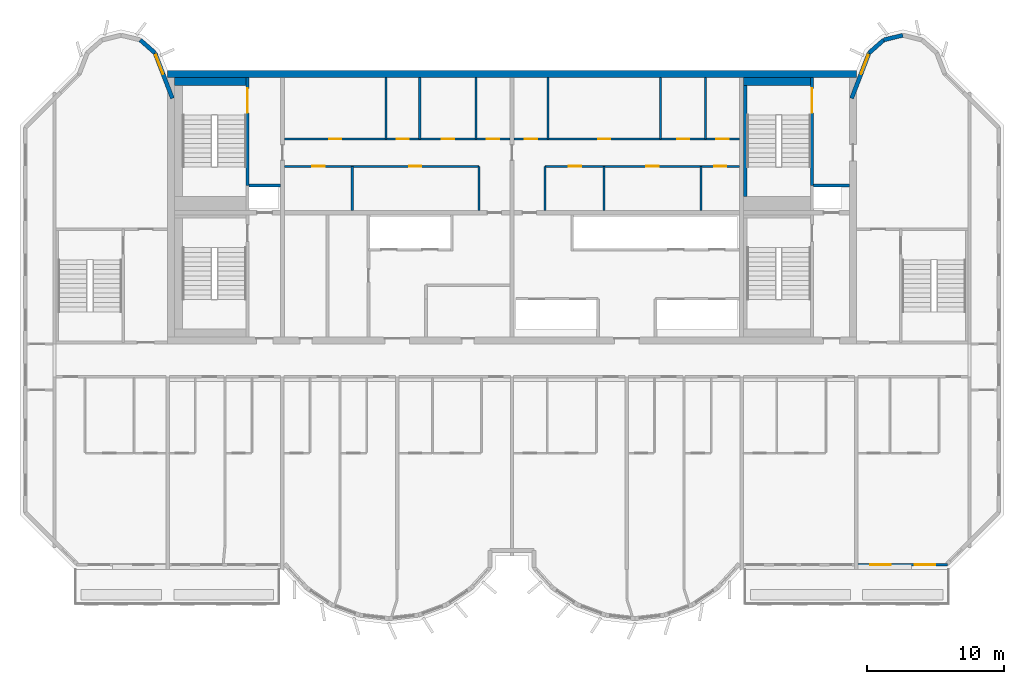
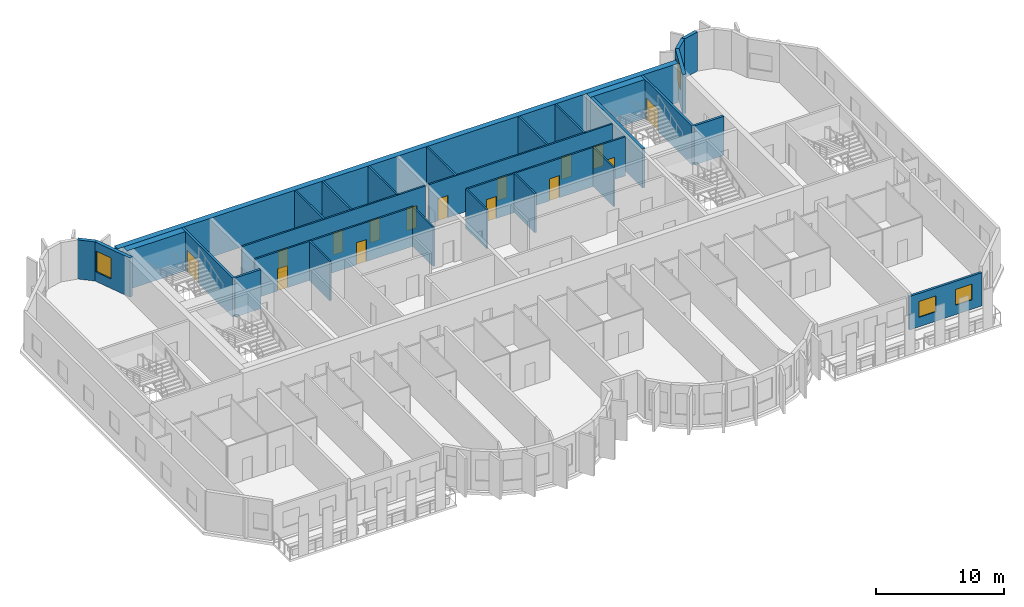
# One storey, part 7 of 12: 29 walls, 15 doors, 4 windows, 19 openings.
"""IFC4 building model written with IfcOpenShell, lengths in metres."""

from ifc_helpers import new_model, si_unit, direction, frame, frame_2d, origin, place, context, subcontext, project, spatial, rectangle, extrude, source, transform, mapped, material, layer, layer_set, type_object, element, fill, save


model = new_model("IFC4")

# Units and contexts
model_context = context("Model", 3, precision=1e-05, world=origin(), true_north=direction((0.0, 1.0)))
body_context = subcontext(model_context, "Body", "Model", "MODEL_VIEW")
ifc_project = project(units=[si_unit("LENGTHUNIT", "METRE"), si_unit("AREAUNIT", "SQUARE_METRE"), si_unit("VOLUMEUNIT", "CUBIC_METRE"), si_unit("PLANEANGLEUNIT", "RADIAN"), si_unit("MASSUNIT", "GRAM", prefix="KILO")], contexts=[model_context])

# Site, building, storey
site_placement = place(None, origin())
site = spatial("IfcSite", under=ifc_project, at=site_placement, CompositionType="ELEMENT")
building_placement = place(site_placement, origin())
building = spatial("IfcBuilding", under=site, at=building_placement, Name="Vanashikhar Sky Hotel", CompositionType="ELEMENT")
storey_placement = place(building_placement, frame((0.0, 0.0, 293.699951171875)))
storey = spatial("IfcBuildingStorey", under=building, at=storey_placement, Name="L70", CompositionType="ELEMENT", Elevation=293.699951171875)

# Wall
ifc_material_1 = material(Name="Concrete M50", Category="concrete")
ifc_layer_1 = layer(ifc_material_1, 0.5)
ifc_layer_set_1 = layer_set([ifc_layer_1], Name="RC core shell wall 500 Concrete M50")
wall_type_1 = type_object("IfcWallType", Name="RC core shell wall 500 Concrete M50", PredefinedType="SHEAR", material=ifc_layer_set_1)
shared_shape_1 = source(origin(), body_context, "Body", "SweptSolid", [
    extrude(rectangle(XDim=50.400146484375, YDim=0.5, at=frame_2d((25.2001953125, 0.0))), origin(), (0.0, 0.0, 1.0), 3.719970703125),
])
wall_1_placement = place(storey_placement, frame((25.199951171875, 41.75, 0.0), z_axis=(0.0, 0.0, 1.0), x_axis=(1.0, 0.0, 0.0)))
element("IfcWall", 1, at=wall_1_placement, inside=storey, type_object=wall_type_1, Name="KW-L70-KN", PredefinedType="SHEAR", context=body_context, shape_type="MappedRepresentation", body=[
    mapped(shared_shape_1, transform((0.0, 0.0, 0.0), scale=1.0)),
])

# Wall, openings, windows
ifc_layer_2 = layer(ifc_material_1, 0.199951171875)
ifc_layer_set_2 = layer_set([ifc_layer_2], Name="Front window wall 200")
wall_type_2 = type_object("IfcWallType", Name="Front window wall 200", PredefinedType="SOLIDWALL", material=ifc_layer_set_2)
shared_shape_2 = source(origin(), body_context, "Body", "SweptSolid", [
    extrude(rectangle(XDim=6.52978515625, YDim=0.199951171875, at=frame_2d((3.264892578125, 0.0))), origin(), (0.0, 0.0, 1.0), 3.170166015625),
])
wall_2_placement = place(storey_placement, frame((75.72509765625, 5.85009765625, 0.0), z_axis=(0.0, 0.0, 1.0), x_axis=(1.0, 0.0, 0.0)))
wall_2 = element("IfcWall", 2, at=wall_2_placement, inside=storey, type_object=wall_type_2, Name="Front window wall", PredefinedType="SOLIDWALL", context=body_context, shape_type="MappedRepresentation", body=[
    mapped(shared_shape_2, transform((0.0, 0.0, 0.0), scale=1.0)),
])
shared_shape_3 = source(origin(), body_context, "Body", "SweptSolid", [
    extrude(rectangle(XDim=1.5, YDim=1.5, at=frame_2d((0.75, 0.75))), frame((0.0, 0.10986328125, 0.0), z_axis=(0.0, -1.0, 0.0), x_axis=(1.0, 0.0, 0.0)), (0.0, 0.0, 1.0), 0.219970703125),
])
opening_1_placement = place(wall_2_placement, frame((0.882568359375, 0.0, 0.89990234375)))
opening_1 = element("IfcOpeningElement", 3, at=opening_1_placement, cuts=wall_2, Name="Opening WN-1", PredefinedType="OPENING", context=body_context, shape_type="MappedRepresentation", body=[
    mapped(shared_shape_3, transform((0.0, 0.0, 0.0), scale=1.0)),
])
opening_2_placement = place(wall_2_placement, frame((4.1474609375, 0.0, 0.89990234375)))
opening_2 = element("IfcOpeningElement", 4, at=opening_2_placement, cuts=wall_2, Name="Opening WN-1", PredefinedType="OPENING", context=body_context, shape_type="MappedRepresentation", body=[
    mapped(shared_shape_3, transform((0.0, 0.0, 0.0), scale=1.0)),
])
ifc_material_2 = material(Name="Glass", Category="glass")
window_type_1 = type_object("IfcWindowType", Name="Window 1500 x 1500", PartitioningType="SINGLE_PANEL", PredefinedType="WINDOW", material=ifc_material_2)
shared_shape_4 = source(origin(), body_context, "Body", "SweptSolid", [
    extrude(rectangle(XDim=1.5, YDim=1.5, at=frame_2d((0.75, 0.75))), frame((0.0, 0.030029296875, 0.0), z_axis=(0.0, -1.0, 0.0), x_axis=(1.0, 0.0, 0.0)), (0.0, 0.0, 1.0), 0.06005859375),
])
window_1_placement = place(opening_1_placement, origin())
window_1 = element("IfcWindow", 5, at=window_1_placement, inside=storey, type_object=window_type_1, Name="Window WN-1", OverallHeight=1.5, OverallWidth=1.5, PartitioningType="SINGLE_PANEL", PredefinedType="WINDOW", context=body_context, shape_type="MappedRepresentation", body=[
    mapped(shared_shape_4, transform((0.0, 0.0, 0.0), scale=1.0)),
])
fill(opening_1, window_1)
window_2_placement = place(opening_2_placement, origin())
window_2 = element("IfcWindow", 6, at=window_2_placement, inside=storey, type_object=window_type_1, Name="Window WN-1", OverallHeight=1.5, OverallWidth=1.5, PartitioningType="SINGLE_PANEL", PredefinedType="WINDOW", context=body_context, shape_type="MappedRepresentation", body=[
    mapped(shared_shape_4, transform((0.0, 0.0, 0.0), scale=1.0)),
])
fill(opening_2, window_2)

# Walls
ifc_layer_3 = layer(ifc_material_1, 0.300048828125)
ifc_layer_set_3 = layer_set([ifc_layer_3], Name="Lobe wall 300")
wall_type_3 = type_object("IfcWallType", Name="Lobe wall 300", PredefinedType="SOLIDWALL", material=ifc_layer_set_3)
shared_shape_5 = source(origin(), body_context, "Body", "SweptSolid", [
    extrude(rectangle(XDim=1.43994140625, YDim=0.300048828125, at=frame_2d((0.719970703125, 0.0))), origin(), (0.0, 0.0, 1.0), 3.719970703125),
])
wall_3_placement = place(storey_placement, frame((77.602783203125, 44.2451171875, 0.0), z_axis=(0.0, 0.0, 1.0), x_axis=(-0.74957555648, -0.661918790432, 0.0)))
element("IfcWall", 7, at=wall_3_placement, inside=storey, type_object=wall_type_3, Name="Lobe wall", PredefinedType="SOLIDWALL", context=body_context, shape_type="MappedRepresentation", body=[
    mapped(shared_shape_5, transform((0.0, 0.0, 0.0), scale=1.0)),
])
shared_shape_6 = source(origin(), body_context, "Body", "SweptSolid", [
    extrude(rectangle(XDim=1.438720703125, YDim=0.300048828125, at=frame_2d((0.71923828125, 0.0))), origin(), (0.0, 0.0, 1.0), 3.719970703125),
])
wall_4_placement = place(storey_placement, frame((79.0, 44.588134765625, 0.0), z_axis=(0.0, 0.0, 1.0), x_axis=(-0.971161932466, -0.238420848351, 0.0)))
element("IfcWall", 8, at=wall_4_placement, inside=storey, type_object=wall_type_3, Name="Lobe wall", PredefinedType="SOLIDWALL", context=body_context, shape_type="MappedRepresentation", body=[
    mapped(shared_shape_6, transform((0.0, 0.0, 0.0), scale=1.0)),
])

# Wall, opening, window
shared_shape_7 = source(origin(), body_context, "Body", "SweptSolid", [
    extrude(rectangle(XDim=3.55908203125, YDim=0.300048828125, at=frame_2d((1.779541015625, 0.0))), origin(), (0.0, 0.0, 1.0), 3.719970703125),
])
wall_5_placement = place(storey_placement, frame((76.5234375, 43.2919921875, 0.0), z_axis=(0.0, 0.0, 1.0), x_axis=(-0.35779745313, -0.933799219604, 0.0)))
wall_5 = element("IfcWall", 9, at=wall_5_placement, inside=storey, type_object=wall_type_3, Name="Lobe wall", PredefinedType="SOLIDWALL", context=body_context, shape_type="MappedRepresentation", body=[
    mapped(shared_shape_7, transform((0.0, 0.0, 0.0), scale=1.0)),
])
shared_shape_8 = source(origin(), body_context, "Body", "SweptSolid", [
    extrude(rectangle(XDim=1.5, YDim=2.0, at=frame_2d((0.75, 1.0))), frame((0.0, 0.16015625, 0.0), z_axis=(0.0, -1.0, 0.0), x_axis=(1.0, 0.0, 0.0)), (0.0, 0.0, 1.0), 0.320068359375),
])
opening_3_placement = place(wall_5_placement, frame((0.156005859375, 0.0, 0.89990234375)))
opening_3 = element("IfcOpeningElement", 10, at=opening_3_placement, cuts=wall_5, Name="Opening WN-2", PredefinedType="OPENING", context=body_context, shape_type="MappedRepresentation", body=[
    mapped(shared_shape_8, transform((0.0, 0.0, 0.0), scale=1.0)),
])
window_type_2 = type_object("IfcWindowType", Name="Lobe window 1500 x 2000", PartitioningType="SINGLE_PANEL", PredefinedType="WINDOW", material=ifc_material_2)
shared_shape_9 = source(origin(), body_context, "Body", "SweptSolid", [
    extrude(rectangle(XDim=1.5, YDim=2.0, at=frame_2d((0.75, 1.0))), frame((0.0, 0.030029296875, 0.0), z_axis=(0.0, -1.0, 0.0), x_axis=(1.0, 0.0, 0.0)), (0.0, 0.0, 1.0), 0.06005859375),
])
window_3_placement = place(opening_3_placement, origin())
window_3 = element("IfcWindow", 11, at=window_3_placement, inside=storey, type_object=window_type_2, Name="Window WN-2", OverallHeight=2.0, OverallWidth=1.5, PartitioningType="SINGLE_PANEL", PredefinedType="WINDOW", context=body_context, shape_type="MappedRepresentation", body=[
    mapped(shared_shape_9, transform((0.0, 0.0, 0.0), scale=1.0)),
])
fill(opening_3, window_3)

wall_6_placement = place(storey_placement, frame((25.550048828125, 39.968505859375, 0.0), z_axis=(0.0, 0.0, 1.0), x_axis=(-0.35779745313, 0.933799219604, 0.0)))
wall_6 = element("IfcWall", 12, at=wall_6_placement, inside=storey, type_object=wall_type_3, Name="Lobe wall", PredefinedType="SOLIDWALL", context=body_context, shape_type="MappedRepresentation", body=[
    mapped(shared_shape_7, transform((0.0, 0.0, 0.0), scale=1.0)),
])
opening_4_placement = place(wall_6_placement, frame((1.9033203125, 0.0, 0.89990234375)))
opening_4 = element("IfcOpeningElement", 13, at=opening_4_placement, cuts=wall_6, Name="Opening WN-2", PredefinedType="OPENING", context=body_context, shape_type="MappedRepresentation", body=[
    mapped(shared_shape_8, transform((0.0, 0.0, 0.0), scale=1.0)),
])
window_4_placement = place(opening_4_placement, origin())
window_4 = element("IfcWindow", 14, at=window_4_placement, inside=storey, type_object=window_type_2, Name="Window WN-2", OverallHeight=2.0, OverallWidth=1.5, PartitioningType="SINGLE_PANEL", PredefinedType="WINDOW", context=body_context, shape_type="MappedRepresentation", body=[
    mapped(shared_shape_9, transform((0.0, 0.0, 0.0), scale=1.0)),
])
fill(opening_4, window_4)

# Walls
shared_shape_10 = source(origin(), body_context, "Body", "SweptSolid", [
    extrude(rectangle(XDim=1.440185546875, YDim=0.300048828125, at=frame_2d((0.72021484375, 0.0))), origin(), (0.0, 0.0, 1.0), 3.719970703125),
])
wall_7_placement = place(storey_placement, frame((24.276611328125, 43.2919921875, 0.0), z_axis=(0.0, 0.0, 1.0), x_axis=(-0.749649827867, 0.661834673902, 0.0)))
element("IfcWall", 15, at=wall_7_placement, inside=storey, type_object=wall_type_3, Name="Lobe wall", PredefinedType="SOLIDWALL", context=body_context, shape_type="MappedRepresentation", body=[
    mapped(shared_shape_10, transform((0.0, 0.0, 0.0), scale=1.0)),
])
ifc_material_3 = material(Name="Gypsum board partition")
ifc_layer_4 = layer(ifc_material_3, 0.14990234375)
ifc_layer_set_4 = layer_set([ifc_layer_4], Name="Service partition 150")
wall_type_4 = type_object("IfcWallType", Name="Service partition 150", PredefinedType="PARTITIONING", material=ifc_layer_set_4)
shared_shape_11 = source(origin(), body_context, "Body", "SweptSolid", [
    extrude(rectangle(XDim=3.25, YDim=0.14990234375, at=frame_2d((1.625, 0.0))), origin(), (0.0, 0.0, 1.0), 3.719970703125),
])
for number, where, z_axis, x_axis, name in (
    (16, (48.0, 31.75, 0.0), (0.0, 0.0, 1.0), (0.0, 1.0, 0.0), "Service partition 150"),
    (17, (38.7109375, 31.75, 0.0), (0.0, 0.0, 1.0), (0.0, 1.0, 0.0), "Service partition 150"),
    (18, (52.800048828125, 31.75, 0.0), (0.0, 0.0, 1.0), (0.0, 1.0, 0.0), "Service partition 150"),
    (19, (64.215087890625, 31.75, 0.0), (0.0, 0.0, 1.0), (0.0, 1.0, 0.0), "Service partition 150"),
    (20, (57.126953125, 31.75, 0.0), (0.0, 0.0, 1.0), (0.0, 1.0, 0.0), "Service partition 150"),
):
    element("IfcWall", number, at=place(storey_placement, frame(where, z_axis=z_axis, x_axis=x_axis)), inside=storey, type_object=wall_type_4, Name=name, PredefinedType="PARTITIONING", context=body_context, shape_type="MappedRepresentation", body=[
        mapped(shared_shape_11, transform((0.0, 0.0, 0.0), scale=1.0)),
    ])

# Wall, openings, doors
shared_shape_12 = source(origin(), body_context, "Body", "SweptSolid", [
    extrude(rectangle(XDim=14.25, YDim=0.14990234375, at=frame_2d((7.125, 0.0))), origin(), (0.0, 0.0, 1.0), 3.719970703125),
])
wall_8_placement = place(storey_placement, frame((33.75, 35.0, 0.0), z_axis=(0.0, 0.0, 1.0), x_axis=(1.0, 0.0, 0.0)))
wall_8 = element("IfcWall", 21, at=wall_8_placement, inside=storey, type_object=wall_type_4, Name="Service partition 150", PredefinedType="PARTITIONING", context=body_context, shape_type="MappedRepresentation", body=[
    mapped(shared_shape_12, transform((0.0, 0.0, 0.0), scale=1.0)),
])
shared_shape_13 = source(origin(), body_context, "Body", "SweptSolid", [
    extrude(rectangle(XDim=0.89990234375, YDim=2.10009765625, at=frame_2d((0.449951171875, 1.050048828125))), frame((0.0, 0.0849609375, 0.0), z_axis=(0.0, -1.0, 0.0), x_axis=(1.0, 0.0, 0.0)), (0.0, 0.0, 1.0), 0.169921875),
])
opening_5_placement = place(wall_8_placement, frame((2.031005859375, 0.0, 0.0)))
opening_5 = element("IfcOpeningElement", 22, at=opening_5_placement, cuts=wall_8, Name="Opening DC-4-A", PredefinedType="OPENING", context=body_context, shape_type="MappedRepresentation", body=[
    mapped(shared_shape_13, transform((0.0, 0.0, 0.0), scale=1.0)),
])
opening_6_placement = place(wall_8_placement, frame((9.117919921875, 0.0, 0.0)))
opening_6 = element("IfcOpeningElement", 23, at=opening_6_placement, cuts=wall_8, Name="Opening DC-4-A", PredefinedType="OPENING", context=body_context, shape_type="MappedRepresentation", body=[
    mapped(shared_shape_13, transform((0.0, 0.0, 0.0), scale=1.0)),
])
ifc_material_4 = material(Name="Steel", Category="steel")
door_type_1 = type_object("IfcDoorType", Name="Service door 900 FD60", OperationType="NOTDEFINED", PredefinedType="DOOR", material=ifc_material_4)
shared_shape_14 = source(origin(), body_context, "Body", "SweptSolid", [
    extrude(rectangle(XDim=0.89990234375, YDim=2.10009765625, at=frame_2d((0.449951171875, 1.050048828125))), frame((0.0, 0.02490234375, 0.0), z_axis=(0.0, -1.0, 0.0), x_axis=(1.0, 0.0, 0.0)), (0.0, 0.0, 1.0), 0.050048828125),
])
door_1_placement = place(opening_5_placement, origin())
door_1 = element("IfcDoor", 24, at=door_1_placement, inside=storey, type_object=door_type_1, Name="Service door 900 FD60", OperationType="SINGLE_SWING_RIGHT", OverallHeight=2.10009765625, OverallWidth=0.89990234375, PredefinedType="DOOR", context=body_context, shape_type="MappedRepresentation", body=[
    mapped(shared_shape_14, transform((0.0, 0.0, 0.0), scale=1.0)),
])
fill(opening_5, door_1)
door_2_placement = place(opening_6_placement, origin())
door_2 = element("IfcDoor", 25, at=door_2_placement, inside=storey, type_object=door_type_1, Name="Service door 900 FD60", OperationType="SINGLE_SWING_RIGHT", OverallHeight=2.10009765625, OverallWidth=0.89990234375, PredefinedType="DOOR", context=body_context, shape_type="MappedRepresentation", body=[
    mapped(shared_shape_14, transform((0.0, 0.0, 0.0), scale=1.0)),
])
fill(opening_6, door_2)

wall_9_placement = place(storey_placement, frame((67.050048828125, 35.0, 0.0), z_axis=(0.0, 0.0, 1.0), x_axis=(-1.0, 0.0, 0.0)))
wall_9 = element("IfcWall", 26, at=wall_9_placement, inside=storey, type_object=wall_type_4, Name="Service partition 150", PredefinedType="PARTITIONING", context=body_context, shape_type="MappedRepresentation", body=[
    mapped(shared_shape_12, transform((0.0, 0.0, 0.0), scale=1.0)),
])
opening_7_placement = place(wall_9_placement, frame((0.968017578125, 0.0, 0.0)))
opening_7 = element("IfcOpeningElement", 27, at=opening_7_placement, cuts=wall_9, Name="Opening DC-4-A", PredefinedType="OPENING", context=body_context, shape_type="MappedRepresentation", body=[
    mapped(shared_shape_13, transform((0.0, 0.0, 0.0), scale=1.0)),
])
opening_8_placement = place(wall_9_placement, frame((5.928955078125, 0.0, 0.0)))
opening_8 = element("IfcOpeningElement", 28, at=opening_8_placement, cuts=wall_9, Name="Opening DC-4-A", PredefinedType="OPENING", context=body_context, shape_type="MappedRepresentation", body=[
    mapped(shared_shape_13, transform((0.0, 0.0, 0.0), scale=1.0)),
])
opening_9_placement = place(wall_9_placement, frame((11.59912109375, 0.0, 0.0)))
opening_9 = element("IfcOpeningElement", 29, at=opening_9_placement, cuts=wall_9, Name="Opening DC-4-A", PredefinedType="OPENING", context=body_context, shape_type="MappedRepresentation", body=[
    mapped(shared_shape_13, transform((0.0, 0.0, 0.0), scale=1.0)),
])
door_3_placement = place(opening_7_placement, origin())
door_3 = element("IfcDoor", 30, at=door_3_placement, inside=storey, type_object=door_type_1, Name="Service door 900 FD60", OperationType="SINGLE_SWING_RIGHT", OverallHeight=2.10009765625, OverallWidth=0.89990234375, PredefinedType="DOOR", context=body_context, shape_type="MappedRepresentation", body=[
    mapped(shared_shape_14, transform((0.0, 0.0, 0.0), scale=1.0)),
])
fill(opening_7, door_3)
door_4_placement = place(opening_8_placement, origin())
door_4 = element("IfcDoor", 31, at=door_4_placement, inside=storey, type_object=door_type_1, Name="Service door 900 FD60", OperationType="SINGLE_SWING_RIGHT", OverallHeight=2.10009765625, OverallWidth=0.89990234375, PredefinedType="DOOR", context=body_context, shape_type="MappedRepresentation", body=[
    mapped(shared_shape_14, transform((0.0, 0.0, 0.0), scale=1.0)),
])
fill(opening_8, door_4)
door_5_placement = place(opening_9_placement, origin())
door_5 = element("IfcDoor", 32, at=door_5_placement, inside=storey, type_object=door_type_1, Name="Service door 900 FD60", OperationType="SINGLE_SWING_RIGHT", OverallHeight=2.10009765625, OverallWidth=0.89990234375, PredefinedType="DOOR", context=body_context, shape_type="MappedRepresentation", body=[
    mapped(shared_shape_14, transform((0.0, 0.0, 0.0), scale=1.0)),
])
fill(opening_9, door_5)

shared_shape_15 = source(origin(), body_context, "Body", "SweptSolid", [
    extrude(rectangle(XDim=16.5, YDim=0.14990234375, at=frame_2d((8.25, 0.0))), origin(), (0.0, 0.0, 1.0), 3.719970703125),
])
wall_10_placement = place(storey_placement, frame((33.75, 37.0, 0.0), z_axis=(0.0, 0.0, 1.0), x_axis=(1.0, 0.0, 0.0)))
wall_10 = element("IfcWall", 33, at=wall_10_placement, inside=storey, type_object=wall_type_4, Name="Service partition 150", PredefinedType="PARTITIONING", context=body_context, shape_type="MappedRepresentation", body=[
    mapped(shared_shape_15, transform((0.0, 0.0, 0.0), scale=1.0)),
])
opening_10_placement = place(wall_10_placement, frame((3.261962890625, 0.0, 0.0)))
opening_10 = element("IfcOpeningElement", 34, at=opening_10_placement, cuts=wall_10, Name="Opening DC-4-A", PredefinedType="OPENING", context=body_context, shape_type="MappedRepresentation", body=[
    mapped(shared_shape_13, transform((0.0, 0.0, 0.0), scale=1.0)),
])
opening_11_placement = place(wall_10_placement, frame((8.2119140625, 0.0, 0.0)))
opening_11 = element("IfcOpeningElement", 35, at=opening_11_placement, cuts=wall_10, Name="Opening DC-4-A", PredefinedType="OPENING", context=body_context, shape_type="MappedRepresentation", body=[
    mapped(shared_shape_13, transform((0.0, 0.0, 0.0), scale=1.0)),
])
opening_12_placement = place(wall_10_placement, frame((11.511962890625, 0.0, 0.0)))
opening_12 = element("IfcOpeningElement", 36, at=opening_12_placement, cuts=wall_10, Name="Opening DC-4-A", PredefinedType="OPENING", context=body_context, shape_type="MappedRepresentation", body=[
    mapped(shared_shape_13, transform((0.0, 0.0, 0.0), scale=1.0)),
])
opening_13_placement = place(wall_10_placement, frame((14.81298828125, 0.0, 0.0)))
opening_13 = element("IfcOpeningElement", 37, at=opening_13_placement, cuts=wall_10, Name="Opening DC-4-A", PredefinedType="OPENING", context=body_context, shape_type="MappedRepresentation", body=[
    mapped(shared_shape_13, transform((0.0, 0.0, 0.0), scale=1.0)),
])
door_6_placement = place(opening_10_placement, origin())
door_6 = element("IfcDoor", 38, at=door_6_placement, inside=storey, type_object=door_type_1, Name="Service door 900 FD60", OperationType="SINGLE_SWING_LEFT", OverallHeight=2.10009765625, OverallWidth=0.89990234375, PredefinedType="DOOR", context=body_context, shape_type="MappedRepresentation", body=[
    mapped(shared_shape_14, transform((0.0, 0.0, 0.0), scale=1.0)),
])
fill(opening_10, door_6)
door_7_placement = place(opening_11_placement, origin())
door_7 = element("IfcDoor", 39, at=door_7_placement, inside=storey, type_object=door_type_1, Name="Service door 900 FD60", OperationType="SINGLE_SWING_LEFT", OverallHeight=2.10009765625, OverallWidth=0.89990234375, PredefinedType="DOOR", context=body_context, shape_type="MappedRepresentation", body=[
    mapped(shared_shape_14, transform((0.0, 0.0, 0.0), scale=1.0)),
])
fill(opening_11, door_7)
door_8_placement = place(opening_12_placement, origin())
door_8 = element("IfcDoor", 40, at=door_8_placement, inside=storey, type_object=door_type_1, Name="Service door 900 FD60", OperationType="SINGLE_SWING_LEFT", OverallHeight=2.10009765625, OverallWidth=0.89990234375, PredefinedType="DOOR", context=body_context, shape_type="MappedRepresentation", body=[
    mapped(shared_shape_14, transform((0.0, 0.0, 0.0), scale=1.0)),
])
fill(opening_12, door_8)
door_9_placement = place(opening_13_placement, origin())
door_9 = element("IfcDoor", 41, at=door_9_placement, inside=storey, type_object=door_type_1, Name="Service door 900 FD60", OperationType="SINGLE_SWING_LEFT", OverallHeight=2.10009765625, OverallWidth=0.89990234375, PredefinedType="DOOR", context=body_context, shape_type="MappedRepresentation", body=[
    mapped(shared_shape_14, transform((0.0, 0.0, 0.0), scale=1.0)),
])
fill(opening_13, door_9)

wall_11_placement = place(storey_placement, frame((67.050048828125, 37.0, 0.0), z_axis=(0.0, 0.0, 1.0), x_axis=(-1.0, 0.0, 0.0)))
wall_11 = element("IfcWall", 42, at=wall_11_placement, inside=storey, type_object=wall_type_4, Name="Service partition 150", PredefinedType="PARTITIONING", context=body_context, shape_type="MappedRepresentation", body=[
    mapped(shared_shape_15, transform((0.0, 0.0, 0.0), scale=1.0)),
])
opening_14_placement = place(wall_11_placement, frame((0.7880859375, 0.0, 0.0)))
opening_14 = element("IfcOpeningElement", 43, at=opening_14_placement, cuts=wall_11, Name="Opening DC-4-A", PredefinedType="OPENING", context=body_context, shape_type="MappedRepresentation", body=[
    mapped(shared_shape_13, transform((0.0, 0.0, 0.0), scale=1.0)),
])
opening_15_placement = place(wall_11_placement, frame((3.675048828125, 0.0, 0.0)))
opening_15 = element("IfcOpeningElement", 44, at=opening_15_placement, cuts=wall_11, Name="Opening DC-4-A", PredefinedType="OPENING", context=body_context, shape_type="MappedRepresentation", body=[
    mapped(shared_shape_13, transform((0.0, 0.0, 0.0), scale=1.0)),
])
opening_16_placement = place(wall_11_placement, frame((9.449951171875, 0.0, 0.0)))
opening_16 = element("IfcOpeningElement", 45, at=opening_16_placement, cuts=wall_11, Name="Opening DC-4-A", PredefinedType="OPENING", context=body_context, shape_type="MappedRepresentation", body=[
    mapped(shared_shape_13, transform((0.0, 0.0, 0.0), scale=1.0)),
])
opening_17_placement = place(wall_11_placement, frame((14.81298828125, 0.0, 0.0)))
opening_17 = element("IfcOpeningElement", 46, at=opening_17_placement, cuts=wall_11, Name="Opening DC-4-A", PredefinedType="OPENING", context=body_context, shape_type="MappedRepresentation", body=[
    mapped(shared_shape_13, transform((0.0, 0.0, 0.0), scale=1.0)),
])
door_10_placement = place(opening_14_placement, origin())
door_10 = element("IfcDoor", 47, at=door_10_placement, inside=storey, type_object=door_type_1, Name="Service door 900 FD60", OperationType="SINGLE_SWING_LEFT", OverallHeight=2.10009765625, OverallWidth=0.89990234375, PredefinedType="DOOR", context=body_context, shape_type="MappedRepresentation", body=[
    mapped(shared_shape_14, transform((0.0, 0.0, 0.0), scale=1.0)),
])
fill(opening_14, door_10)
door_11_placement = place(opening_15_placement, origin())
door_11 = element("IfcDoor", 48, at=door_11_placement, inside=storey, type_object=door_type_1, Name="Service door 900 FD60", OperationType="SINGLE_SWING_LEFT", OverallHeight=2.10009765625, OverallWidth=0.89990234375, PredefinedType="DOOR", context=body_context, shape_type="MappedRepresentation", body=[
    mapped(shared_shape_14, transform((0.0, 0.0, 0.0), scale=1.0)),
])
fill(opening_15, door_11)
door_12_placement = place(opening_16_placement, origin())
door_12 = element("IfcDoor", 49, at=door_12_placement, inside=storey, type_object=door_type_1, Name="Service door 900 FD60", OperationType="SINGLE_SWING_LEFT", OverallHeight=2.10009765625, OverallWidth=0.89990234375, PredefinedType="DOOR", context=body_context, shape_type="MappedRepresentation", body=[
    mapped(shared_shape_14, transform((0.0, 0.0, 0.0), scale=1.0)),
])
fill(opening_16, door_12)
door_13_placement = place(opening_17_placement, origin())
door_13 = element("IfcDoor", 50, at=door_13_placement, inside=storey, type_object=door_type_1, Name="Service door 900 FD60", OperationType="SINGLE_SWING_RIGHT", OverallHeight=2.10009765625, OverallWidth=0.89990234375, PredefinedType="DOOR", context=body_context, shape_type="MappedRepresentation", body=[
    mapped(shared_shape_14, transform((0.0, 0.0, 0.0), scale=1.0)),
])
fill(opening_17, door_13)

# Walls
shared_shape_16 = source(origin(), body_context, "Body", "SweptSolid", [
    extrude(rectangle(XDim=4.5, YDim=0.14990234375, at=frame_2d((2.25, 0.0))), origin(), (0.0, 0.0, 1.0), 3.719970703125),
])
for number, where, z_axis, x_axis, name in (
    (51, (41.175048828125, 37.0, 0.0), (0.0, 0.0, 1.0), (0.0, 1.0, 0.0), "Service partition 150"),
    (52, (43.64990234375, 37.0, 0.0), (0.0, 0.0, 1.0), (0.0, 1.0, 0.0), "Service partition 150"),
    (53, (47.77490234375, 37.0, 0.0), (0.0, 0.0, 1.0), (0.0, 1.0, 0.0), "Service partition 150"),
    (54, (64.574951171875, 37.0, 0.0), (0.0, 0.0, 1.0), (0.0, 1.0, 0.0), "Service partition 150"),
    (55, (61.27490234375, 37.0, 0.0), (0.0, 0.0, 1.0), (0.0, 1.0, 0.0), "Service partition 150"),
    (56, (53.02490234375, 37.0, 0.0), (0.0, 0.0, 1.0), (0.0, 1.0, 0.0), "Service partition 150"),
):
    element("IfcWall", number, at=place(storey_placement, frame(where, z_axis=z_axis, x_axis=x_axis)), inside=storey, type_object=wall_type_4, Name=name, PredefinedType="PARTITIONING", context=body_context, shape_type="MappedRepresentation", body=[
        mapped(shared_shape_16, transform((0.0, 0.0, 0.0), scale=1.0)),
    ])
ifc_material_5 = material(Name="Concrete M40", Category="concrete")
ifc_layer_5 = layer(ifc_material_5, 0.199951171875)
ifc_layer_set_5 = layer_set([ifc_layer_5], Name="Shaft wall 200")
wall_type_5 = type_object("IfcWallType", Name="Shaft wall 200", PredefinedType="SOLIDWALL", material=ifc_layer_set_5)
shared_shape_17 = source(origin(), body_context, "Body", "SweptSolid", [
    extrude(rectangle(XDim=2.300048828125, YDim=0.199951171875, at=frame_2d((1.14990234375, 0.0))), origin(), (0.0, 0.0, 1.0), 3.719970703125),
])
wall_12_placement = place(storey_placement, frame((31.14990234375, 33.60009765625, 0.0), z_axis=(0.0, 0.0, 1.0), x_axis=(1.0, 0.0, 0.0)))
element("IfcWall", 57, at=wall_12_placement, inside=storey, type_object=wall_type_5, Name="Shaft wall 200", PredefinedType="SOLIDWALL", context=body_context, shape_type="MappedRepresentation", body=[
    mapped(shared_shape_17, transform((0.0, 0.0, 0.0), scale=1.0)),
])

# Wall, opening, door
ifc_layer_6 = layer(ifc_material_1, 0.199951171875)
ifc_layer_set_6 = layer_set([ifc_layer_6], Name="Stair wall 200")
wall_type_6 = type_object("IfcWallType", Name="Stair wall 200", PredefinedType="SOLIDWALL", material=ifc_layer_set_6)
shared_shape_18 = source(origin(), body_context, "Body", "SweptSolid", [
    extrude(rectangle(XDim=7.89990234375, YDim=0.199951171875, at=frame_2d((3.949951171875, 0.0))), origin(), (0.0, 0.0, 1.0), 3.719970703125),
])
wall_13_placement = place(storey_placement, frame((31.050048828125, 33.60009765625, 0.0), z_axis=(0.0, 0.0, 1.0), x_axis=(0.0, 1.0, 0.0)))
wall_13 = element("IfcWall", 58, at=wall_13_placement, inside=storey, type_object=wall_type_6, Name="Stair wall 200", PredefinedType="SOLIDWALL", context=body_context, shape_type="MappedRepresentation", body=[
    mapped(shared_shape_18, transform((0.0, 0.0, 0.0), scale=1.0)),
])
shared_shape_19 = source(origin(), body_context, "Body", "SweptSolid", [
    extrude(rectangle(XDim=1.800048828125, YDim=2.10009765625, at=frame_2d((0.89990234375, 1.050048828125))), frame((0.0, 0.10986328125, 0.0), z_axis=(0.0, -1.0, 0.0), x_axis=(1.0, 0.0, 0.0)), (0.0, 0.0, 1.0), 0.219970703125),
])
opening_18_placement = place(wall_13_placement, frame((5.300048828125, 0.0, 0.0)))
opening_18 = element("IfcOpeningElement", 59, at=opening_18_placement, cuts=wall_13, Name="Opening DC-1-A", PredefinedType="OPENING", context=body_context, shape_type="MappedRepresentation", body=[
    mapped(shared_shape_19, transform((0.0, 0.0, 0.0), scale=1.0)),
])
door_type_2 = type_object("IfcDoorType", Name="Stair door 1800 FD120", OperationType="NOTDEFINED", PredefinedType="DOOR", material=ifc_material_4)
shared_shape_20 = source(origin(), body_context, "Body", "SweptSolid", [
    extrude(rectangle(XDim=1.800048828125, YDim=2.10009765625, at=frame_2d((0.89990234375, 1.050048828125))), frame((0.0, 0.02490234375, 0.0), z_axis=(0.0, -1.0, 0.0), x_axis=(1.0, 0.0, 0.0)), (0.0, 0.0, 1.0), 0.050048828125),
])
door_14_placement = place(opening_18_placement, origin())
door_14 = element("IfcDoor", 60, at=door_14_placement, inside=storey, type_object=door_type_2, Name="Stair door 1800 FD120", OperationType="SINGLE_SWING_RIGHT", OverallHeight=2.10009765625, OverallWidth=1.800048828125, PredefinedType="DOOR", context=body_context, shape_type="MappedRepresentation", body=[
    mapped(shared_shape_20, transform((0.0, 0.0, 0.0), scale=1.0)),
])
fill(opening_18, door_14)

wall_14_placement = place(storey_placement, frame((72.35009765625, 33.60009765625, 0.0), z_axis=(0.0, 0.0, 1.0), x_axis=(0.0, 1.0, 0.0)))
wall_14 = element("IfcWall", 61, at=wall_14_placement, inside=storey, type_object=wall_type_6, Name="Stair wall 200", PredefinedType="SOLIDWALL", context=body_context, shape_type="MappedRepresentation", body=[
    mapped(shared_shape_18, transform((0.0, 0.0, 0.0), scale=1.0)),
])
opening_19_placement = place(wall_14_placement, frame((5.300048828125, 0.0, 0.0)))
opening_19 = element("IfcOpeningElement", 62, at=opening_19_placement, cuts=wall_14, Name="Opening DC-1-A", PredefinedType="OPENING", context=body_context, shape_type="MappedRepresentation", body=[
    mapped(shared_shape_19, transform((0.0, 0.0, 0.0), scale=1.0)),
])
door_15_placement = place(opening_19_placement, origin())
door_15 = element("IfcDoor", 63, at=door_15_placement, inside=storey, type_object=door_type_2, Name="Stair door 1800 FD120", OperationType="SINGLE_SWING_RIGHT", OverallHeight=2.10009765625, OverallWidth=1.800048828125, PredefinedType="DOOR", context=body_context, shape_type="MappedRepresentation", body=[
    mapped(shared_shape_20, transform((0.0, 0.0, 0.0), scale=1.0)),
])
fill(opening_19, door_15)

# Walls
shared_shape_21 = source(origin(), body_context, "Body", "SweptSolid", [
    extrude(rectangle(XDim=2.650146484375, YDim=0.199951171875, at=frame_2d((1.3251953125, 0.0))), origin(), (0.0, 0.0, 1.0), 3.719970703125),
])
wall_15_placement = place(storey_placement, frame((72.449951171875, 33.60009765625, 0.0), z_axis=(0.0, 0.0, 1.0), x_axis=(1.0, 0.0, 0.0)))
element("IfcWall", 64, at=wall_15_placement, inside=storey, type_object=wall_type_5, Name="Shaft wall 200", PredefinedType="SOLIDWALL", context=body_context, shape_type="MappedRepresentation", body=[
    mapped(shared_shape_21, transform((0.0, 0.0, 0.0), scale=1.0)),
])
ifc_layer_7 = layer(ifc_material_1, 0.60009765625)
ifc_layer_set_7 = layer_set([ifc_layer_7], Name="Stair infill wall 600")
wall_type_7 = type_object("IfcWallType", Name="Stair infill wall 600", PredefinedType="SOLIDWALL", material=ifc_layer_set_7)
shared_shape_22 = source(origin(), body_context, "Body", "SweptSolid", [
    extrude(rectangle(XDim=5.25, YDim=0.60009765625, at=frame_2d((2.625, 0.0))), origin(), (0.0, 0.0, 1.0), 3.719970703125),
])
wall_16_placement = place(storey_placement, frame((25.699951171875, 41.199951171875, 0.0), z_axis=(0.0, 0.0, 1.0), x_axis=(1.0, 0.0, 0.0)))
element("IfcWall", 65, at=wall_16_placement, inside=storey, type_object=wall_type_7, Name="Stair infill wall 600", PredefinedType="SOLIDWALL", context=body_context, shape_type="MappedRepresentation", body=[
    mapped(shared_shape_22, transform((0.0, 0.0, 0.0), scale=1.0)),
])
shared_shape_23 = source(origin(), body_context, "Body", "SweptSolid", [
    extrude(rectangle(XDim=4.89990234375, YDim=0.60009765625, at=frame_2d((2.449951171875, 0.0))), origin(), (0.0, 0.0, 1.0), 3.719970703125),
])
wall_17_placement = place(storey_placement, frame((67.35009765625, 41.199951171875, 0.0), z_axis=(0.0, 0.0, 1.0), x_axis=(1.0, 0.0, 0.0)))
element("IfcWall", 66, at=wall_17_placement, inside=storey, type_object=wall_type_7, Name="Stair infill wall 600", PredefinedType="SOLIDWALL", context=body_context, shape_type="MappedRepresentation", body=[
    mapped(shared_shape_23, transform((0.0, 0.0, 0.0), scale=1.0)),
])
ifc_layer_8 = layer(ifc_material_1, 0.25)
ifc_layer_set_8 = layer_set([ifc_layer_8], Name="Stair infill wall 250")
wall_type_8 = type_object("IfcWallType", Name="Stair infill wall 250", PredefinedType="SOLIDWALL", material=ifc_layer_set_8)
shared_shape_24 = source(origin(), body_context, "Body", "SweptSolid", [
    extrude(rectangle(XDim=8.099853515625, YDim=0.25, at=frame_2d((4.0498046875, 0.0))), origin(), (0.0, 0.0, 1.0), 3.719970703125),
])
wall_18_placement = place(storey_placement, frame((67.47509765625, 32.800048828125, 0.0), z_axis=(0.0, 0.0, 1.0), x_axis=(0.0, 1.0, 0.0)))
element("IfcWall", 67, at=wall_18_placement, inside=storey, type_object=wall_type_8, Name="Stair infill wall 250", PredefinedType="SOLIDWALL", context=body_context, shape_type="MappedRepresentation", body=[
    mapped(shared_shape_24, transform((0.0, 0.0, 0.0), scale=1.0)),
])

save(model, "model.ifc")
